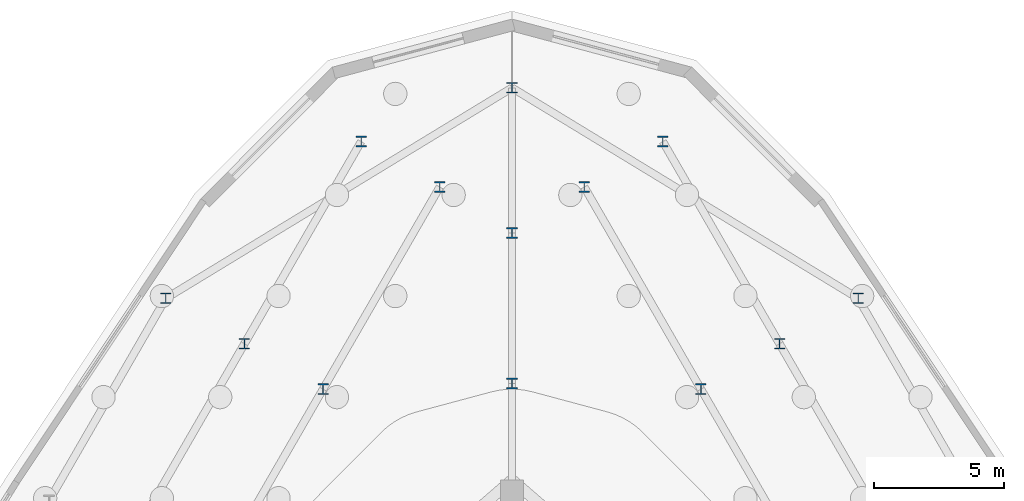
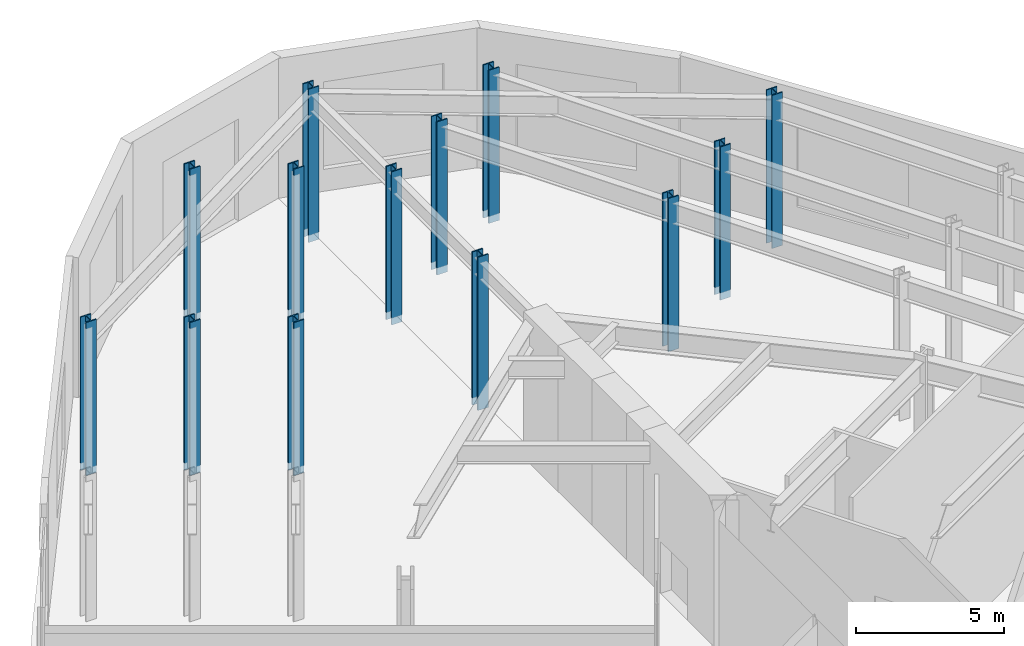
# One storey, part 6 of 17: 13 columns.
"""IFC4 building model written with IfcOpenShell, lengths in metres."""

from ifc_helpers import new_model, si_unit, direction, frame, origin, origin_2d, place, context, subcontext, project, spatial, i_section, extrude, material, material_profile, profile_set, type_object, element, save


model = new_model("IFC4")

# Units and contexts
model_context = context("Model", 3, precision=1e-05, world=origin(), true_north=direction((0.0, 1.0)))
body_context = subcontext(model_context, "Body", "Model", "MODEL_VIEW")
ifc_project = project(units=[si_unit("LENGTHUNIT", "METRE"), si_unit("AREAUNIT", "SQUARE_METRE"), si_unit("VOLUMEUNIT", "CUBIC_METRE"), si_unit("PLANEANGLEUNIT", "RADIAN"), si_unit("MASSUNIT", "GRAM", prefix="KILO")], contexts=[model_context])

# Site, building, storey
site_placement = place(None, origin())
site = spatial("IfcSite", under=ifc_project, at=site_placement, CompositionType="ELEMENT")
building_placement = place(site_placement, origin())
building = spatial("IfcBuilding", under=site, at=building_placement, Name="Trikona Tower", CompositionType="ELEMENT")
storey_placement = place(building_placement, origin())
storey = spatial("IfcBuildingStorey", under=building, at=storey_placement, Name="L00", CompositionType="ELEMENT", Elevation=0.0)

# Columns
ifc_material = material(Name="Steel ASTM A992 Grade 50", Category="steel")
ifc_material_profile = material_profile(ifc_material, i_section(OverallWidth=0.406494140625, OverallDepth=0.41650390625, WebThickness=0.030029296875, FlangeThickness=0.048095703125, at=origin_2d()), Name="W14X257")
ifc_profile_set = profile_set([ifc_material_profile], Name="Steel ASTM A992 Grade 50")
column_type = type_object("IfcColumnType", Name="Steel column W14x257", PredefinedType="COLUMN", material=ifc_profile_set)
for number, where, z_axis, x_axis, name in (
    (1, (0.0, 35.60009765625, -0.300048828125), (0.0, 0.0, 1.0), (1.0, 0.0, 0.0), "Column K1D35.6"),
    (2, (0.0, 41.39990234375, -0.300048828125), (0.0, 0.0, 1.0), (1.0, 0.0, 0.0), "Column K1D41.4"),
    (3, (0.0, 47.0, -0.300048828125), (0.0, 0.0, 1.0), (1.0, 0.0, 0.0), "Column K1D47"),
    (4, (7.28466796875, 35.3828125, -0.300048828125), (0.0, 0.0, 1.0), (1.0, 0.0, 0.0), "Column R24F1p27"),
    (5, (2.78466796875, 43.177001953125, -0.300048828125), (0.0, 0.0, 1.0), (1.0, 0.0, 0.0), "Column R24F1p36"),
    (6, (-7.28466796875, 35.3828125, -0.300048828125), (0.0, 0.0, 1.0), (1.0, 0.0, 0.0), "Column R24F2m27"),
    (7, (-2.78466796875, 43.177001953125, -0.300048828125), (0.0, 0.0, 1.0), (1.0, 0.0, 0.0), "Column R24F2m36"),
    (8, (10.315673828125, 37.1328125, -0.300048828125), (0.0, 0.0, 1.0), (1.0, 0.0, 0.0), "Column R27.5F1p27"),
    (9, (5.815673828125, 44.927001953125, -0.300048828125), (0.0, 0.0, 1.0), (1.0, 0.0, 0.0), "Column R27.5F1p36"),
    (10, (-10.315673828125, 37.1328125, -0.300048828125), (0.0, 0.0, 1.0), (1.0, 0.0, 0.0), "Column R27.5F2m27"),
    (11, (-5.815673828125, 44.927001953125, -0.300048828125), (0.0, 0.0, 1.0), (1.0, 0.0, 0.0), "Column R27.5F2m36"),
    (12, (13.3466796875, 38.8828125, -0.300048828125), (0.0, 0.0, 1.0), (1.0, 0.0, 0.0), "Column R31F1p27"),
    (13, (-13.3466796875, 38.8828125, -0.300048828125), (0.0, 0.0, 1.0), (1.0, 0.0, 0.0), "Column R31F2m27"),
):
    element("IfcColumn", number, at=place(storey_placement, frame(where, z_axis=z_axis, x_axis=x_axis)), inside=storey, type_object=column_type, Name=name, PredefinedType="COLUMN", context=body_context, shape_type="SweptSolid", body=[
        extrude(i_section(OverallWidth=0.406494140625, OverallDepth=0.41650390625, WebThickness=0.030029296875, FlangeThickness=0.048095703125, at=origin_2d()), origin(), (0.0, 0.0, 1.0), 6.300048828125),
    ])

save(model, "model.ifc")
